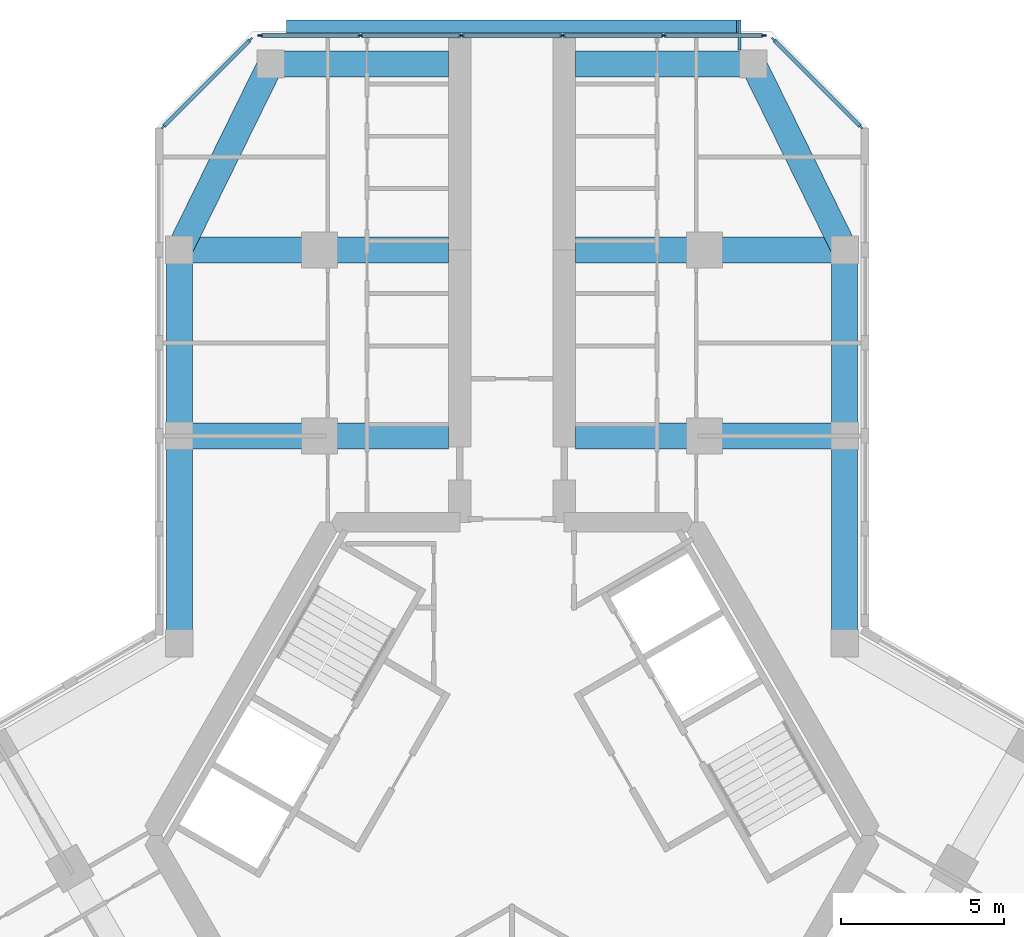
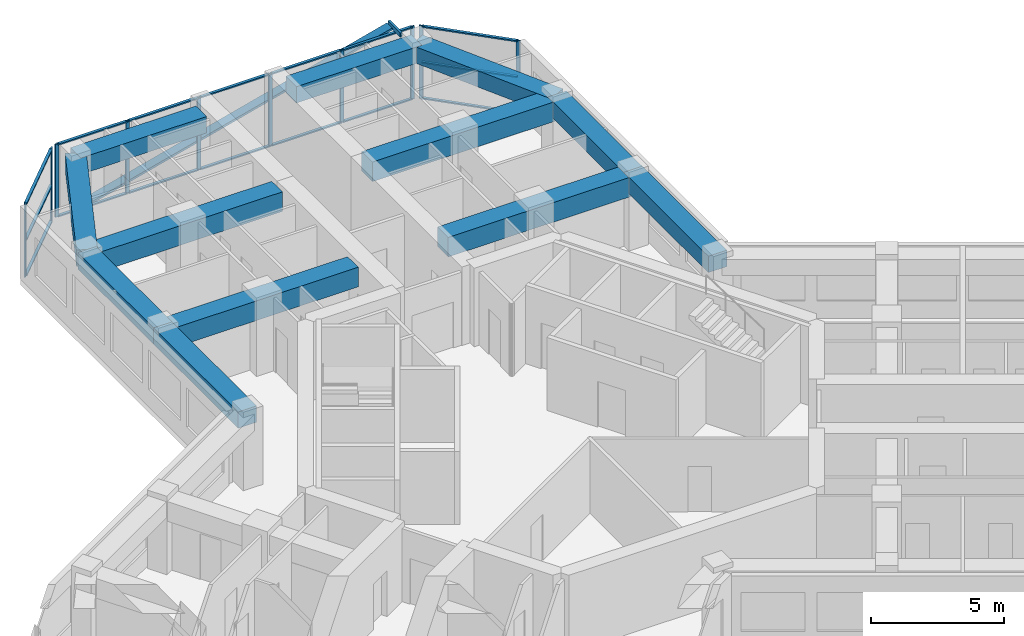
# One storey, part 6 of 16: 28 members, 12 beams, 3 elements without a shape of their own.
"""IFC4 building model written with IfcOpenShell, lengths in metres."""

import ifcopenshell
import ifcopenshell.guid

model = None  # the IFC model being written
_history = None  # IfcOwnerHistory: only IFC2X3 demands one
_inside = {}  # id of a spatial element -> (the spatial element, [elements in it])
_under = {}  # id of a project, library or spatial element -> (it, [spatial elements below it])
_declared = {}  # id of a project -> (the project, [libraries it declares])
_typed = {}  # id of a type object -> (the type object, [elements of that type])
_made_of = {}  # id of a material, layer set ... -> (it, [elements and type objects made of it])


def new_model(schema):
    """Start an empty IFC model of exactly this schema.

    Asked for "IFC4X3", IfcOpenShell would pick the latest addendum, in which some entities
    have other attributes; the version numbers below select the first issue.
    IFC2X3 requires an IfcOwnerHistory on every rooted entity: one is made here for all.
    """
    global model, _history
    if schema == "IFC4X3":
        model = ifcopenshell.file(schema_version=(4, 3, 0, 0))
    else:
        model = ifcopenshell.file(schema=schema)
    _inside.clear()
    _under.clear()
    _declared.clear()
    _typed.clear()
    _made_of.clear()
    _history = None
    if model.schema == "IFC2X3":
        org = make("IfcOrganization", Name="unknown")
        user = make(
            "IfcPersonAndOrganization",
            ThePerson=make("IfcPerson", FamilyName="unknown"),
            TheOrganization=org,
        )
        app = make(
            "IfcApplication",
            ApplicationDeveloper=org,
            Version="unknown",
            ApplicationFullName="unknown",
            ApplicationIdentifier="unknown",
        )
        _history = make(
            "IfcOwnerHistory",
            OwningUser=user,
            OwningApplication=app,
            ChangeAction="ADDED",
            CreationDate=0,
        )
    return model


def make(cls, **values):
    """One entity of the class cls with the attributes given. An attribute that is None is left unset."""
    return model.create_entity(
        cls, **{name: value for name, value in values.items() if value is not None}
    )


def rooted(cls, **values):
    """An entity with a GlobalId (a new one), such as an element, a storey or a relation."""
    return make(cls, GlobalId=ifcopenshell.guid.new(), OwnerHistory=_history, **values)


def si_unit(unit_type, name, prefix=None):
    """IfcSIUnit, for example si_unit("LENGTHUNIT", "METRE", prefix="MILLI")."""
    return make("IfcSIUnit", UnitType=unit_type, Prefix=prefix, Name=name)


def assignment(units):
    """IfcUnitAssignment: the units of a project."""
    return None if units is None else make("IfcUnitAssignment", Units=units)


def point(xyz):
    """IfcCartesianPoint."""
    return None if xyz is None else make("IfcCartesianPoint", Coordinates=xyz)


def direction(xyz):
    """IfcDirection."""
    return None if xyz is None else make("IfcDirection", DirectionRatios=xyz)


def frame(location, z_axis=None, x_axis=None):
    """IfcAxis2Placement3D, a coordinate frame: its origin and axes. An axis left out is left unset."""
    return make(
        "IfcAxis2Placement3D",
        Location=point(location),
        Axis=direction(z_axis),
        RefDirection=direction(x_axis),
    )


def frame_2d(location, x_axis=None):
    """IfcAxis2Placement2D, a coordinate frame in the plane: its origin and x axis."""
    return make(
        "IfcAxis2Placement2D", Location=point(location), RefDirection=direction(x_axis)
    )


def origin():
    """The frame at (0, 0, 0) with its axes left unset."""
    return frame((0.0, 0.0, 0.0))


def origin_2d():
    """The frame at (0, 0) in the plane with its x axis left unset."""
    return frame_2d((0.0, 0.0))


def place(relative_to, where):
    """IfcLocalPlacement: puts the frame where relative to a parent placement (None: the world)."""
    return make(
        "IfcLocalPlacement", PlacementRelTo=relative_to, RelativePlacement=where
    )


def context(
    kind, dimensions, precision=None, world=None, true_north=None, identifier=None
):
    """IfcGeometricRepresentationContext, for example the 3D "Model" context."""
    return make(
        "IfcGeometricRepresentationContext",
        ContextIdentifier=identifier,
        ContextType=kind,
        CoordinateSpaceDimension=dimensions,
        Precision=precision,
        WorldCoordinateSystem=world,
        TrueNorth=true_north,
    )


def subcontext(parent, identifier, kind, view, scale=None):
    """IfcGeometricRepresentationSubContext, for example "Body" below "Model"."""
    return make(
        "IfcGeometricRepresentationSubContext",
        ContextIdentifier=identifier,
        ContextType=kind,
        ParentContext=parent,
        TargetScale=scale,
        TargetView=view,
    )


def project(units=None, contexts=None):
    """IfcProject with its units and contexts."""
    return rooted(
        "IfcProject",
        Name="project",
        RepresentationContexts=contexts,
        UnitsInContext=assignment(units),
    )


def spatial(cls, under=None, at=None, **own):
    """A site, building, storey or space (cls), placed at a placement, below another one or the project."""
    s = rooted(cls, ObjectPlacement=at, **own)
    if under is not None:
        _under.setdefault(under.id(), (under, []))[1].append(s)
    return s


def profile(cls, at=None, kind="AREA", **sizes):
    """A parametric profile (cls). Its sizes go by their IFC names, for example OverallWidth=200.0."""
    return make(cls, ProfileType=kind, Position=at, **sizes)


def rectangle(**sizes):
    """IfcRectangleProfileDef."""
    return profile("IfcRectangleProfileDef", **sizes)


def hollow_rectangle(**sizes):
    """IfcRectangleHollowProfileDef."""
    return profile("IfcRectangleHollowProfileDef", **sizes)


def extrude(swept, where, along, depth):
    """IfcExtrudedAreaSolid: the profile swept, set in the frame where, extruded along a direction by depth."""
    return make(
        "IfcExtrudedAreaSolid",
        SweptArea=swept,
        Position=where,
        ExtrudedDirection=direction(along),
        Depth=depth,
    )


def shape(context_of_items, identifier, shape_type, items):
    """IfcShapeRepresentation: the items that make up one representation, for example the "Body"."""
    return make(
        "IfcShapeRepresentation",
        ContextOfItems=context_of_items,
        RepresentationIdentifier=identifier,
        RepresentationType=shape_type,
        Items=items,
    )


def material(Name=None, Category=None):
    """IfcMaterial."""
    return make("IfcMaterial", Name=Name, Category=Category)


def material_profile(
    of_material, cross_section, Name=None, Category=None, Priority=None
):
    """IfcMaterialProfile: a cross section and its material."""
    return make(
        "IfcMaterialProfile",
        Name=Name,
        Material=of_material,
        Profile=cross_section,
        Priority=Priority,
        Category=Category,
    )


def profile_set(profiles, Name=None, composite=None):
    """IfcMaterialProfileSet."""
    return make(
        "IfcMaterialProfileSet",
        Name=Name,
        MaterialProfiles=profiles,
        CompositeProfile=composite,
    )


def made_of(thing, what):
    """Note that an element or type object is made of a material, layer set ...; save() writes the relation."""
    if what is not None:
        _made_of.setdefault(what.id(), (what, []))[1].append(thing)
    return thing


def type_object(cls, material=None, **own):
    """A type object (cls), such as IfcWallType, which elements share."""
    return made_of(rooted(cls, **own), material)


def element(
    cls,
    number,
    at=None,
    inside=None,
    cuts=None,
    type_object=None,
    material=None,
    context=None,
    identifier="Body",
    shape_type=None,
    held_by="IfcProductDefinitionShape",
    body=None,
    shapes=None,
    **own,
):
    """One element of the class cls, such as IfcWall. Its Tag is "e" and its number.

    at: its placement. inside: the storey or other place that contains it. cuts: it is an
    opening in that element (IfcRelVoidsElement). A single representation is given by context,
    identifier, shape_type and body (its items); several are given by shapes. held_by: the class
    of the entity that holds the representations. save() writes the other relations.
    """
    e = rooted(cls, Tag="e%d" % number, ObjectPlacement=at, **own)
    if body is not None:
        shapes = [shape(context, identifier, shape_type, body)]
    if shapes is not None:
        e.Representation = make(held_by, Representations=shapes)
    if inside is not None:
        _inside.setdefault(inside.id(), (inside, []))[1].append(e)
    if cuts is not None:
        rooted(
            "IfcRelVoidsElement", RelatingBuildingElement=cuts, RelatedOpeningElement=e
        )
    if type_object is not None:
        _typed.setdefault(type_object.id(), (type_object, []))[1].append(e)
    return made_of(e, material)


def aggregate(whole, parts):
    """IfcRelAggregates: a whole, such as a stair, and the parts it consists of."""
    return rooted("IfcRelAggregates", RelatingObject=whole, RelatedObjects=parts)


def save(model, path):
    """Write the relations noted so far, then the file.

    IfcRelAggregates (storeys below a building ...), IfcRelContainedInSpatialStructure (elements
    in a storey), IfcRelDefinesByType, IfcRelAssociatesMaterial and IfcRelDeclares: one each for
    every whole, place, type object, material and project.
    """
    for whole, parts in _under.values():
        aggregate(whole, parts)
    for where, things in _inside.values():
        rooted(
            "IfcRelContainedInSpatialStructure",
            RelatedElements=things,
            RelatingStructure=where,
        )
    for kind, things in _typed.values():
        rooted("IfcRelDefinesByType", RelatedObjects=things, RelatingType=kind)
    for what, things in _made_of.values():
        rooted("IfcRelAssociatesMaterial", RelatedObjects=things, RelatingMaterial=what)
    for by, libraries in _declared.values():
        rooted("IfcRelDeclares", RelatingContext=by, RelatedDefinitions=libraries)
    model.write(path)


model = new_model("IFC4")

# Units and contexts
model_context = context("Model", 3, precision=1e-05, world=origin(), true_north=direction((0.0, 1.0)))
body_context = subcontext(model_context, "Body", "Model", "MODEL_VIEW")
ifc_project = project(units=[si_unit("LENGTHUNIT", "METRE"), si_unit("AREAUNIT", "SQUARE_METRE"), si_unit("VOLUMEUNIT", "CUBIC_METRE"), si_unit("PLANEANGLEUNIT", "RADIAN"), si_unit("MASSUNIT", "GRAM", prefix="KILO")], contexts=[model_context])

# Site, building, storey
site_placement = place(None, origin())
site = spatial("IfcSite", under=ifc_project, at=site_placement, CompositionType="ELEMENT")
building_placement = place(site_placement, origin())
building = spatial("IfcBuilding", under=site, at=building_placement, Name="Kosmar Iwan School Tower", CompositionType="ELEMENT")
storey_placement = place(building_placement, frame((0.0, 0.0, 235.199951171875)))
storey = spatial("IfcBuildingStorey", under=building, at=storey_placement, Name="L59", CompositionType="ELEMENT", Elevation=235.199951171875)

# Members
ifc_material_1 = material(Name="Black anodised aluminium", Category="aluminium")
ifc_material_profile_1 = material_profile(ifc_material_1, rectangle(XDim=0.10009765625, YDim=0.39990234375, at=origin_2d()), Name="FIN 100x400")
ifc_profile_set_1 = profile_set([ifc_material_profile_1], Name="Black anodised aluminium")
member_type_1 = type_object("IfcMemberType", Name="Diagonal fin 100x400", PredefinedType="USERDEFINED", material=ifc_profile_set_1)
member_1_placement = place(storey_placement, frame((-6.898193359375, 24.800048828125, -0.14990234375), z_axis=(0.967603633438, 0.0, 0.252474174041), x_axis=(-0.252474174041, 0.0, 0.967603633438)))
element("IfcMember", 1, at=member_1_placement, inside=storey, type_object=member_type_1, Name="Diagonal fin L59-F06", ObjectType="FIN", PredefinedType="USERDEFINED", context=body_context, shape_type="SweptSolid", body=[
    extrude(rectangle(XDim=0.10009765625, YDim=0.39990234375, at=origin_2d()), origin(), (0.0, 0.0, 1.0), 14.25830078125),
])
ifc_material_2 = material(Name="Steel S355", Category="steel")
ifc_material_profile_2 = material_profile(ifc_material_2, hollow_rectangle(XDim=0.10009765625, YDim=0.199951171875, WallThickness=0.008056640625, at=origin_2d()), Name="RHS 200x100x8")
ifc_profile_set_2 = profile_set([ifc_material_profile_2], Name="Steel S355")
member_type_2 = type_object("IfcMemberType", Name="Fin bracket RHS 200x100", PredefinedType="USERDEFINED", material=ifc_profile_set_2)
member_2_placement = place(storey_placement, frame((6.97509765625, 24.074951171875, 3.47509765625), z_axis=(0.0, 1.0, 0.0), x_axis=(-1.0, 0.0, 0.0)))
element("IfcMember", 2, at=member_2_placement, inside=storey, type_object=member_type_2, Name="Fin bracket L60", ObjectType="FIN BRACKET", PredefinedType="USERDEFINED", context=body_context, shape_type="SweptSolid", body=[
    extrude(hollow_rectangle(XDim=0.10009765625, YDim=0.199951171875, WallThickness=0.008056640625, at=origin_2d()), origin(), (0.0, 0.0, 1.0), 0.925048828125),
])

# Curtain wall, members
ifc_material_3 = material(Name="Dark glass in black aluminium frame", Category="aluminium")
curtain_wall_type_1 = type_object("IfcCurtainWallType", Name="Chamfer curtain wall dark glass", PredefinedType="USERDEFINED", material=ifc_material_3)
curtain_wall_1_placement = place(storey_placement, origin())
curtain_wall_1 = element("IfcCurtainWall", 3, at=curtain_wall_1_placement, inside=storey, type_object=curtain_wall_type_1, Name="Curtain wall L59-F05", ObjectType="FACETED CURTAIN WALL", PredefinedType="USERDEFINED")
ifc_material_4 = material(Name="Black anodised aluminium", Category="aluminium")
ifc_material_profile_3 = material_profile(ifc_material_4, rectangle(XDim=0.06005859375, YDim=0.159912109375, at=origin_2d()), Name="MULLION 60x160")
ifc_profile_set_3 = profile_set([ifc_material_profile_3], Name="Black anodised aluminium")
member_type_3 = type_object("IfcMemberType", Name="Mullion 60x160", PredefinedType="MULLION", material=ifc_profile_set_3)
member_3_placement = place(storey_placement, frame((10.69775390625, 21.7255859375, 0.0), z_axis=(0.0, 0.0, 1.0), x_axis=(-0.707106781187, -0.707106781187, 0.0)))
member_3 = element("IfcMember", 4, at=member_3_placement, type_object=member_type_3, Name="CW2 mullion 1", PredefinedType="MULLION", context=body_context, shape_type="SweptSolid", body=[
    extrude(rectangle(XDim=0.06005859375, YDim=0.159912109375, at=origin_2d()), origin(), (0.0, 0.0, 1.0), 3.35009765625),
])
member_4_placement = place(storey_placement, frame((8.025390625, 24.397705078125, 0.0), z_axis=(0.0, 0.0, 1.0), x_axis=(-0.707106781187, -0.707106781187, 0.0)))
member_4 = element("IfcMember", 5, at=member_4_placement, type_object=member_type_3, Name="CW2 mullion 2", PredefinedType="MULLION", context=body_context, shape_type="SweptSolid", body=[
    extrude(rectangle(XDim=0.06005859375, YDim=0.159912109375, at=origin_2d()), origin(), (0.0, 0.0, 1.0), 3.35009765625),
])

ifc_material_5 = material(Name="Dark glass in black aluminium frame", Category="aluminium")
curtain_wall_type_2 = type_object("IfcCurtainWallType", Name="Tower curtain wall dark glass", PredefinedType="USERDEFINED", material=ifc_material_5)
curtain_wall_2_placement = place(storey_placement, origin())
curtain_wall_2 = element("IfcCurtainWall", 6, at=curtain_wall_2_placement, inside=storey, type_object=curtain_wall_type_2, Name="Curtain wall L59-F06", ObjectType="UNITISED CURTAIN WALL", PredefinedType="USERDEFINED")
member_5_placement = place(storey_placement, frame((7.71826171875, 24.52490234375, 0.0), z_axis=(0.0, 0.0, 1.0), x_axis=(0.0, -1.0, 0.0)))
member_5 = element("IfcMember", 7, at=member_5_placement, type_object=member_type_3, Name="CW1 mullion 1", PredefinedType="MULLION", context=body_context, shape_type="SweptSolid", body=[
    extrude(rectangle(XDim=0.06005859375, YDim=0.159912109375, at=origin_2d()), origin(), (0.0, 0.0, 1.0), 3.35009765625),
])
member_6_placement = place(storey_placement, frame((4.64892578125, 24.52490234375, 0.0), z_axis=(0.0, 0.0, 1.0), x_axis=(0.0, -1.0, 0.0)))
member_6 = element("IfcMember", 8, at=member_6_placement, type_object=member_type_3, Name="CW1 mullion 2", PredefinedType="MULLION", context=body_context, shape_type="SweptSolid", body=[
    extrude(rectangle(XDim=0.06005859375, YDim=0.159912109375, at=origin_2d()), origin(), (0.0, 0.0, 1.0), 3.35009765625),
])
member_7_placement = place(storey_placement, frame((1.549560546875, 24.52490234375, 0.0), z_axis=(0.0, 0.0, 1.0), x_axis=(0.0, -1.0, 0.0)))
member_7 = element("IfcMember", 9, at=member_7_placement, type_object=member_type_3, Name="CW1 mullion 3", PredefinedType="MULLION", context=body_context, shape_type="SweptSolid", body=[
    extrude(rectangle(XDim=0.06005859375, YDim=0.159912109375, at=origin_2d()), origin(), (0.0, 0.0, 1.0), 3.35009765625),
])
member_8_placement = place(storey_placement, frame((-1.549560546875, 24.52490234375, 0.0), z_axis=(0.0, 0.0, 1.0), x_axis=(0.0, -1.0, 0.0)))
member_8 = element("IfcMember", 10, at=member_8_placement, type_object=member_type_3, Name="CW1 mullion 4", PredefinedType="MULLION", context=body_context, shape_type="SweptSolid", body=[
    extrude(rectangle(XDim=0.06005859375, YDim=0.159912109375, at=origin_2d()), origin(), (0.0, 0.0, 1.0), 3.35009765625),
])
member_9_placement = place(storey_placement, frame((-4.64892578125, 24.52490234375, 0.0), z_axis=(0.0, 0.0, 1.0), x_axis=(0.0, -1.0, 0.0)))
member_9 = element("IfcMember", 11, at=member_9_placement, type_object=member_type_3, Name="CW1 mullion 5", PredefinedType="MULLION", context=body_context, shape_type="SweptSolid", body=[
    extrude(rectangle(XDim=0.06005859375, YDim=0.159912109375, at=origin_2d()), origin(), (0.0, 0.0, 1.0), 3.35009765625),
])
member_10_placement = place(storey_placement, frame((-7.71826171875, 24.52490234375, 0.0), z_axis=(0.0, 0.0, 1.0), x_axis=(0.0, -1.0, 0.0)))
member_10 = element("IfcMember", 12, at=member_10_placement, type_object=member_type_3, Name="CW1 mullion 6", PredefinedType="MULLION", context=body_context, shape_type="SweptSolid", body=[
    extrude(rectangle(XDim=0.06005859375, YDim=0.159912109375, at=origin_2d()), origin(), (0.0, 0.0, 1.0), 3.35009765625),
])

curtain_wall_3_placement = place(storey_placement, origin())
curtain_wall_3 = element("IfcCurtainWall", 13, at=curtain_wall_3_placement, inside=storey, type_object=curtain_wall_type_1, Name="Curtain wall L59-F07", ObjectType="FACETED CURTAIN WALL", PredefinedType="USERDEFINED")
member_11_placement = place(storey_placement, frame((-8.025390625, 24.397705078125, 0.0), z_axis=(0.0, 0.0, 1.0), x_axis=(0.707106781187, -0.707106781187, 0.0)))
member_11 = element("IfcMember", 14, at=member_11_placement, type_object=member_type_3, Name="CW2 mullion 1", PredefinedType="MULLION", context=body_context, shape_type="SweptSolid", body=[
    extrude(rectangle(XDim=0.06005859375, YDim=0.159912109375, at=origin_2d()), origin(), (0.0, 0.0, 1.0), 3.35009765625),
])
member_12_placement = place(storey_placement, frame((-10.69775390625, 21.7255859375, 0.0), z_axis=(0.0, 0.0, 1.0), x_axis=(0.707106781187, -0.707106781187, 0.0)))
member_12 = element("IfcMember", 15, at=member_12_placement, type_object=member_type_3, Name="CW2 mullion 2", PredefinedType="MULLION", context=body_context, shape_type="SweptSolid", body=[
    extrude(rectangle(XDim=0.06005859375, YDim=0.159912109375, at=origin_2d()), origin(), (0.0, 0.0, 1.0), 3.35009765625),
])

# Beams
ifc_material_6 = material(Name="Concrete C50/60", Category="concrete")
ifc_material_profile_4 = material_profile(ifc_material_6, rectangle(XDim=0.800048828125, YDim=0.75, at=origin_2d()), Name="RC 800x750")
ifc_profile_set_4 = profile_set([ifc_material_profile_4], Name="Concrete C50/60")
beam_type_1 = type_object("IfcBeamType", Name="RC edge beam 800x750", PredefinedType="BEAM", material=ifc_profile_set_4)
beam_1_placement = place(storey_placement, frame((-10.199951171875, 5.888916015625, 2.97509765625), z_axis=(0.0, 1.0, 0.0), x_axis=(-1.0, 0.0, 0.0)))
element("IfcBeam", 16, at=beam_1_placement, inside=storey, type_object=beam_type_1, Name="Edge beam AL1", PredefinedType="BEAM", context=body_context, shape_type="SweptSolid", body=[
    extrude(rectangle(XDim=0.800048828125, YDim=0.75, at=origin_2d()), origin(), (0.0, 0.0, 1.0), 6.361083984375),
])
beam_2_placement = place(storey_placement, frame((-10.199951171875, 12.25, 2.97509765625), z_axis=(0.0, 1.0, 0.0), x_axis=(-1.0, 0.0, 0.0)))
element("IfcBeam", 17, at=beam_2_placement, inside=storey, type_object=beam_type_1, Name="Edge beam AL2", PredefinedType="BEAM", context=body_context, shape_type="SweptSolid", body=[
    extrude(rectangle(XDim=0.800048828125, YDim=0.75, at=origin_2d()), origin(), (0.0, 0.0, 1.0), 5.699951171875),
])
beam_3_placement = place(storey_placement, frame((10.199951171875, 5.888916015625, 2.97509765625), z_axis=(0.0, 1.0, 0.0), x_axis=(-1.0, 0.0, 0.0)))
element("IfcBeam", 18, at=beam_3_placement, inside=storey, type_object=beam_type_1, Name="Edge beam AR1", PredefinedType="BEAM", context=body_context, shape_type="SweptSolid", body=[
    extrude(rectangle(XDim=0.800048828125, YDim=0.75, at=origin_2d()), origin(), (0.0, 0.0, 1.0), 6.361083984375),
])
beam_4_placement = place(storey_placement, frame((10.199951171875, 12.25, 2.97509765625), z_axis=(0.0, 1.0, 0.0), x_axis=(-1.0, 0.0, 0.0)))
element("IfcBeam", 19, at=beam_4_placement, inside=storey, type_object=beam_type_1, Name="Edge beam AR2", PredefinedType="BEAM", context=body_context, shape_type="SweptSolid", body=[
    extrude(rectangle(XDim=0.800048828125, YDim=0.75, at=origin_2d()), origin(), (0.0, 0.0, 1.0), 5.699951171875),
])
ifc_material_7 = material(Name="Concrete C50/60", Category="concrete")
ifc_material_profile_5 = material_profile(ifc_material_7, rectangle(XDim=0.800048828125, YDim=0.75, at=origin_2d()), Name="RC 800x750")
ifc_profile_set_5 = profile_set([ifc_material_profile_5], Name="Concrete C50/60")
beam_type_2 = type_object("IfcBeamType", Name="RC tip beam 800x750", PredefinedType="BEAM", material=ifc_profile_set_5)
beam_5_placement = place(storey_placement, frame((-10.199951171875, 17.949951171875, 2.97509765625), z_axis=(0.440913116462, 0.897549788999, 0.0), x_axis=(-0.897549788999, 0.440913116462, 0.0)))
element("IfcBeam", 20, at=beam_5_placement, inside=storey, type_object=beam_type_2, Name="Tip beam AL", PredefinedType="BEAM", context=body_context, shape_type="SweptSolid", body=[
    extrude(rectangle(XDim=0.800048828125, YDim=0.75, at=origin_2d()), origin(), (0.0, 0.0, 1.0), 6.3505859375),
])
beam_6_placement = place(storey_placement, frame((-7.39990234375, 23.64990234375, 2.97509765625), z_axis=(1.0, 0.0, 0.0), x_axis=(0.0, 1.0, 0.0)))
element("IfcBeam", 21, at=beam_6_placement, inside=storey, type_object=beam_type_2, Name="Tip beam AL to corridor wall", PredefinedType="BEAM", context=body_context, shape_type="SweptSolid", body=[
    extrude(rectangle(XDim=0.800048828125, YDim=0.75, at=origin_2d()), origin(), (0.0, 0.0, 1.0), 5.449951171875),
])
beam_7_placement = place(storey_placement, frame((10.199951171875, 17.949951171875, 2.97509765625), z_axis=(-0.440913116462, 0.897549788999, 0.0), x_axis=(-0.897549788999, -0.440913116462, 0.0)))
element("IfcBeam", 22, at=beam_7_placement, inside=storey, type_object=beam_type_2, Name="Tip beam AR", PredefinedType="BEAM", context=body_context, shape_type="SweptSolid", body=[
    extrude(rectangle(XDim=0.800048828125, YDim=0.75, at=origin_2d()), origin(), (0.0, 0.0, 1.0), 6.3505859375),
])
beam_8_placement = place(storey_placement, frame((7.39990234375, 23.64990234375, 2.97509765625), z_axis=(-1.0, 0.0, 0.0), x_axis=(0.0, -1.0, 0.0)))
element("IfcBeam", 23, at=beam_8_placement, inside=storey, type_object=beam_type_2, Name="Tip beam AR to corridor wall", PredefinedType="BEAM", context=body_context, shape_type="SweptSolid", body=[
    extrude(rectangle(XDim=0.800048828125, YDim=0.75, at=origin_2d()), origin(), (0.0, 0.0, 1.0), 5.449951171875),
])
ifc_material_8 = material(Name="Concrete C50/60", Category="concrete")
ifc_material_profile_6 = material_profile(ifc_material_8, rectangle(XDim=0.800048828125, YDim=0.89990234375, at=origin_2d()), Name="RC 800x900")
ifc_profile_set_6 = profile_set([ifc_material_profile_6], Name="Concrete C50/60")
beam_type_3 = type_object("IfcBeamType", Name="RC transverse beam 800x900", PredefinedType="BEAM", material=ifc_profile_set_6)
for number, where, z_axis, x_axis, name in (
    (24, (-10.199951171875, 12.25, 2.900146484375), (1.0, 0.0, 0.0), (0.0, 1.0, 0.0), "Transverse beam AL1"),
    (25, (-10.199951171875, 17.949951171875, 2.900146484375), (1.0, 0.0, 0.0), (0.0, 1.0, 0.0), "Transverse beam AL2"),
    (26, (10.199951171875, 12.25, 2.900146484375), (-1.0, 0.0, 0.0), (0.0, -1.0, 0.0), "Transverse beam AR1"),
    (27, (10.199951171875, 17.949951171875, 2.900146484375), (-1.0, 0.0, 0.0), (0.0, -1.0, 0.0), "Transverse beam AR2"),
):
    element("IfcBeam", number, at=place(storey_placement, frame(where, z_axis=z_axis, x_axis=x_axis)), inside=storey, type_object=beam_type_3, Name=name, PredefinedType="BEAM", context=body_context, shape_type="SweptSolid", body=[
        extrude(rectangle(XDim=0.800048828125, YDim=0.89990234375, at=origin_2d()), origin(), (0.0, 0.0, 1.0), 8.25),
    ])

# Member
ifc_material_9 = material(Name="Black anodised aluminium", Category="aluminium")
ifc_material_profile_7 = material_profile(ifc_material_9, rectangle(XDim=0.1201171875, YDim=0.06005859375, at=origin_2d()), Name="TRANSOM 60x120")
ifc_profile_set_7 = profile_set([ifc_material_profile_7], Name="Black anodised aluminium")
member_type_4 = type_object("IfcMemberType", Name="Transom 60x120", PredefinedType="USERDEFINED", material=ifc_profile_set_7)
member_13_placement = place(storey_placement, frame((10.676513671875, 21.746826171875, 0.030029296875), z_axis=(-0.707139603466, 0.707073957383, 0.0), x_axis=(-0.707073957383, -0.707139603466, 0.0)))
member_13 = element("IfcMember", 28, at=member_13_placement, type_object=member_type_4, Name="CW2 transom 1.1", ObjectType="TRANSOM", PredefinedType="USERDEFINED", context=body_context, shape_type="SweptSolid", body=[
    extrude(rectangle(XDim=0.1201171875, YDim=0.06005859375, at=origin_2d()), origin(), (0.0, 0.0, 1.0), 3.718994140625),
])

member_14_placement = place(storey_placement, frame((10.676513671875, 21.746826171875, 1.675048828125), z_axis=(-0.707139603466, 0.707073957383, 0.0), x_axis=(-0.707073957383, -0.707139603466, 0.0)))
member_14 = element("IfcMember", 29, at=member_14_placement, type_object=member_type_4, Name="CW2 transom 1.2", ObjectType="TRANSOM", PredefinedType="USERDEFINED", context=body_context, shape_type="SweptSolid", body=[
    extrude(rectangle(XDim=0.1201171875, YDim=0.06005859375, at=origin_2d()), origin(), (0.0, 0.0, 1.0), 3.718994140625),
])

member_15_placement = place(storey_placement, frame((10.676513671875, 21.746826171875, 3.320068359375), z_axis=(-0.707139603466, 0.707073957383, 0.0), x_axis=(-0.707073957383, -0.707139603466, 0.0)))
member_15 = element("IfcMember", 30, at=member_15_placement, type_object=member_type_4, Name="CW2 transom 1.3", ObjectType="TRANSOM", PredefinedType="USERDEFINED", context=body_context, shape_type="SweptSolid", body=[
    extrude(rectangle(XDim=0.1201171875, YDim=0.06005859375, at=origin_2d()), origin(), (0.0, 0.0, 1.0), 3.718994140625),
])

aggregate(curtain_wall_1, [member_3, member_4, member_13, member_14, member_15])

member_16_placement = place(storey_placement, frame((7.688232421875, 24.52490234375, 0.030029296875), z_axis=(-1.0, 0.0, 0.0), x_axis=(0.0, -1.0, 0.0)))
member_16 = element("IfcMember", 31, at=member_16_placement, type_object=member_type_4, Name="CW1 transom 1.1", ObjectType="TRANSOM", PredefinedType="USERDEFINED", context=body_context, shape_type="SweptSolid", body=[
    extrude(rectangle(XDim=0.1201171875, YDim=0.06005859375, at=origin_2d()), origin(), (0.0, 0.0, 1.0), 3.00927734375),
])

member_17_placement = place(storey_placement, frame((7.688232421875, 24.52490234375, 3.320068359375), z_axis=(-1.0, 0.0, 0.0), x_axis=(0.0, -1.0, 0.0)))
member_17 = element("IfcMember", 32, at=member_17_placement, type_object=member_type_4, Name="CW1 transom 1.2", ObjectType="TRANSOM", PredefinedType="USERDEFINED", context=body_context, shape_type="SweptSolid", body=[
    extrude(rectangle(XDim=0.1201171875, YDim=0.06005859375, at=origin_2d()), origin(), (0.0, 0.0, 1.0), 3.00927734375),
])

member_18_placement = place(storey_placement, frame((4.618896484375, 24.52490234375, 0.030029296875), z_axis=(-1.0, 0.0, 0.0), x_axis=(0.0, -1.0, 0.0)))
member_18 = element("IfcMember", 33, at=member_18_placement, type_object=member_type_4, Name="CW1 transom 2.1", ObjectType="TRANSOM", PredefinedType="USERDEFINED", context=body_context, shape_type="SweptSolid", body=[
    extrude(rectangle(XDim=0.1201171875, YDim=0.06005859375, at=origin_2d()), origin(), (0.0, 0.0, 1.0), 3.039306640625),
])

member_19_placement = place(storey_placement, frame((4.618896484375, 24.52490234375, 3.320068359375), z_axis=(-1.0, 0.0, 0.0), x_axis=(0.0, -1.0, 0.0)))
member_19 = element("IfcMember", 34, at=member_19_placement, type_object=member_type_4, Name="CW1 transom 2.2", ObjectType="TRANSOM", PredefinedType="USERDEFINED", context=body_context, shape_type="SweptSolid", body=[
    extrude(rectangle(XDim=0.1201171875, YDim=0.06005859375, at=origin_2d()), origin(), (0.0, 0.0, 1.0), 3.039306640625),
])

member_20_placement = place(storey_placement, frame((1.51953125, 24.52490234375, 0.030029296875), z_axis=(-1.0, 0.0, 0.0), x_axis=(0.0, -1.0, 0.0)))
member_20 = element("IfcMember", 35, at=member_20_placement, type_object=member_type_4, Name="CW1 transom 3.1", ObjectType="TRANSOM", PredefinedType="USERDEFINED", context=body_context, shape_type="SweptSolid", body=[
    extrude(rectangle(XDim=0.1201171875, YDim=0.06005859375, at=origin_2d()), origin(), (0.0, 0.0, 1.0), 3.0390625),
])

member_21_placement = place(storey_placement, frame((1.51953125, 24.52490234375, 3.320068359375), z_axis=(-1.0, 0.0, 0.0), x_axis=(0.0, -1.0, 0.0)))
member_21 = element("IfcMember", 36, at=member_21_placement, type_object=member_type_4, Name="CW1 transom 3.2", ObjectType="TRANSOM", PredefinedType="USERDEFINED", context=body_context, shape_type="SweptSolid", body=[
    extrude(rectangle(XDim=0.1201171875, YDim=0.06005859375, at=origin_2d()), origin(), (0.0, 0.0, 1.0), 3.0390625),
])

member_22_placement = place(storey_placement, frame((-1.57958984375, 24.52490234375, 0.030029296875), z_axis=(-1.0, 0.0, 0.0), x_axis=(0.0, -1.0, 0.0)))
member_22 = element("IfcMember", 37, at=member_22_placement, type_object=member_type_4, Name="CW1 transom 4.1", ObjectType="TRANSOM", PredefinedType="USERDEFINED", context=body_context, shape_type="SweptSolid", body=[
    extrude(rectangle(XDim=0.1201171875, YDim=0.06005859375, at=origin_2d()), origin(), (0.0, 0.0, 1.0), 3.039306640625),
])

member_23_placement = place(storey_placement, frame((-1.57958984375, 24.52490234375, 3.320068359375), z_axis=(-1.0, 0.0, 0.0), x_axis=(0.0, -1.0, 0.0)))
member_23 = element("IfcMember", 38, at=member_23_placement, type_object=member_type_4, Name="CW1 transom 4.2", ObjectType="TRANSOM", PredefinedType="USERDEFINED", context=body_context, shape_type="SweptSolid", body=[
    extrude(rectangle(XDim=0.1201171875, YDim=0.06005859375, at=origin_2d()), origin(), (0.0, 0.0, 1.0), 3.039306640625),
])

member_24_placement = place(storey_placement, frame((-4.678955078125, 24.52490234375, 0.030029296875), z_axis=(-1.0, 0.0, 0.0), x_axis=(0.0, -1.0, 0.0)))
member_24 = element("IfcMember", 39, at=member_24_placement, type_object=member_type_4, Name="CW1 transom 5.1", ObjectType="TRANSOM", PredefinedType="USERDEFINED", context=body_context, shape_type="SweptSolid", body=[
    extrude(rectangle(XDim=0.1201171875, YDim=0.06005859375, at=origin_2d()), origin(), (0.0, 0.0, 1.0), 3.00927734375),
])

member_25_placement = place(storey_placement, frame((-4.678955078125, 24.52490234375, 3.320068359375), z_axis=(-1.0, 0.0, 0.0), x_axis=(0.0, -1.0, 0.0)))
member_25 = element("IfcMember", 40, at=member_25_placement, type_object=member_type_4, Name="CW1 transom 5.2", ObjectType="TRANSOM", PredefinedType="USERDEFINED", context=body_context, shape_type="SweptSolid", body=[
    extrude(rectangle(XDim=0.1201171875, YDim=0.06005859375, at=origin_2d()), origin(), (0.0, 0.0, 1.0), 3.00927734375),
])

aggregate(curtain_wall_2, [member_5, member_6, member_7, member_8, member_9, member_10, member_16, member_17, member_18, member_19, member_20, member_21, member_22, member_23, member_24, member_25])

member_26_placement = place(storey_placement, frame((-8.046630859375, 24.37646484375, 0.030029296875), z_axis=(-0.707139603466, -0.707073957383, 0.0), x_axis=(0.707073957383, -0.707139603466, 0.0)))
member_26 = element("IfcMember", 41, at=member_26_placement, type_object=member_type_4, Name="CW2 transom 1.1", ObjectType="TRANSOM", PredefinedType="USERDEFINED", context=body_context, shape_type="SweptSolid", body=[
    extrude(rectangle(XDim=0.1201171875, YDim=0.06005859375, at=origin_2d()), origin(), (0.0, 0.0, 1.0), 3.718994140625),
])

member_27_placement = place(storey_placement, frame((-8.046630859375, 24.37646484375, 1.675048828125), z_axis=(-0.707139603466, -0.707073957383, 0.0), x_axis=(0.707073957383, -0.707139603466, 0.0)))
member_27 = element("IfcMember", 42, at=member_27_placement, type_object=member_type_4, Name="CW2 transom 1.2", ObjectType="TRANSOM", PredefinedType="USERDEFINED", context=body_context, shape_type="SweptSolid", body=[
    extrude(rectangle(XDim=0.1201171875, YDim=0.06005859375, at=origin_2d()), origin(), (0.0, 0.0, 1.0), 3.718994140625),
])

member_28_placement = place(storey_placement, frame((-8.046630859375, 24.37646484375, 3.320068359375), z_axis=(-0.707139603466, -0.707073957383, 0.0), x_axis=(0.707073957383, -0.707139603466, 0.0)))
member_28 = element("IfcMember", 43, at=member_28_placement, type_object=member_type_4, Name="CW2 transom 1.3", ObjectType="TRANSOM", PredefinedType="USERDEFINED", context=body_context, shape_type="SweptSolid", body=[
    extrude(rectangle(XDim=0.1201171875, YDim=0.06005859375, at=origin_2d()), origin(), (0.0, 0.0, 1.0), 3.718994140625),
])

aggregate(curtain_wall_3, [member_11, member_12, member_26, member_27, member_28])

save(model, "model.ifc")
